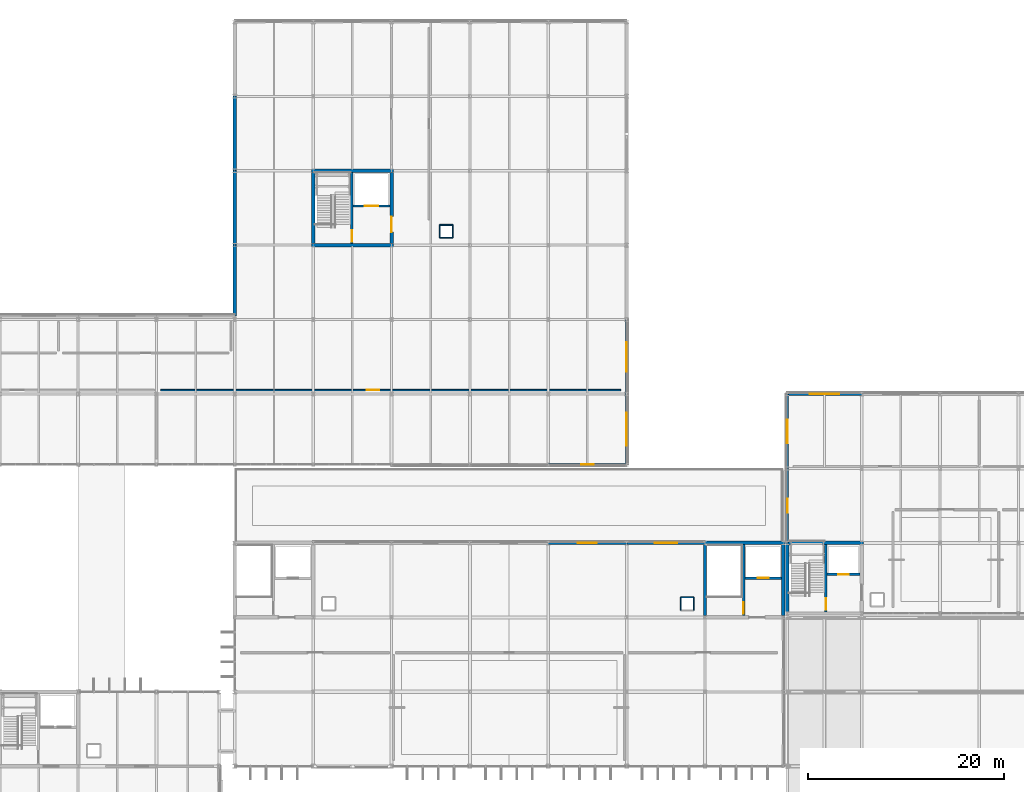
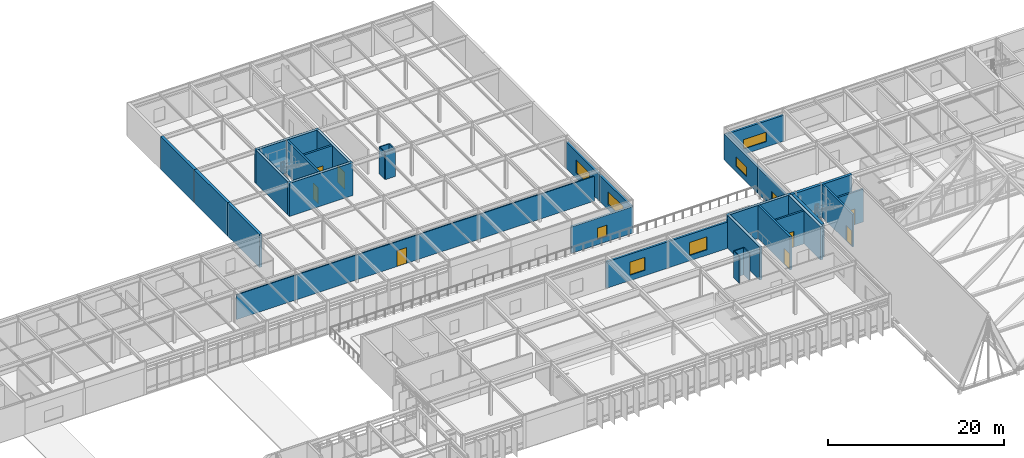
# One storey, part 86 of 100: 34 walls, 9 doors, 7 windows, 16 openings.
"""IFC4 building model written with IfcOpenShell, lengths in metres."""

from ifc_helpers import new_model, si_unit, direction, frame, frame_2d, origin, place, context, subcontext, project, spatial, rectangle, extrude, material, layer, layer_set, type_object, element, fill, save


model = new_model("IFC4")

# Units and contexts
model_context = context("Model", 3, precision=1e-05, world=origin(), true_north=direction((0.0, 1.0)))
body_context = subcontext(model_context, "Body", "Model", "MODEL_VIEW")
ifc_project = project(units=[si_unit("LENGTHUNIT", "METRE"), si_unit("AREAUNIT", "SQUARE_METRE"), si_unit("VOLUMEUNIT", "CUBIC_METRE"), si_unit("PLANEANGLEUNIT", "RADIAN"), si_unit("MASSUNIT", "GRAM", prefix="KILO")], contexts=[model_context])

# Site, building, storey
site_placement = place(None, origin())
site = spatial("IfcSite", under=ifc_project, at=site_placement, CompositionType="ELEMENT")
building_placement = place(site_placement, origin())
building = spatial("IfcBuilding", under=site, at=building_placement, Name="Zulena Civic Courthouse", CompositionType="ELEMENT")
storey_placement = place(building_placement, frame((0.0, 0.0, 20.39990234375)))
storey = spatial("IfcBuildingStorey", under=building, at=storey_placement, Name="L04", CompositionType="ELEMENT", Elevation=20.39990234375)

# Wall, opening, door
ifc_material_1 = material(Name="Concrete C40/50", Category="concrete")
ifc_layer_1 = layer(ifc_material_1, 0.25)
ifc_layer_set_1 = layer_set([ifc_layer_1], Name="Concrete C40/50")
wall_type_1 = type_object("IfcWallType", Name="CoreShearWall_RC250", PredefinedType="SHEAR", material=ifc_layer_set_1)
wall_1_placement = place(storey_placement, frame((128.35009765625, 30.97509765625, 0.0), z_axis=(0.0, 0.0, 1.0), x_axis=(0.0, 1.0, 0.0)))
wall_1 = element("IfcWall", 1, at=wall_1_placement, inside=storey, type_object=wall_type_1, Name="cwall:K3A:L04:DIV", PredefinedType="SHEAR", context=body_context, shape_type="SweptSolid", body=[
    extrude(rectangle(XDim=6.849853515625, YDim=0.25, at=frame_2d((3.4248046875, 0.0))), origin(), (0.0, 0.0, 1.0), 4.545166015625),
])
opening_1_placement = place(wall_1_placement, frame((0.179931640625, 0.0, 0.0)))
opening_1 = element("IfcOpeningElement", 2, at=opening_1_placement, cuts=wall_1, Name="Opening ID07", PredefinedType="OPENING", context=body_context, shape_type="SweptSolid", body=[
    extrude(rectangle(XDim=1.199951171875, YDim=2.199951171875, at=frame_2d((0.60009765625, 1.10009765625))), frame((0.0, 0.135009765625, 0.0), z_axis=(0.0, -1.0, 0.0), x_axis=(1.0, 0.0, 0.0)), (0.0, 0.0, 1.0), 0.27001953125),
])
ifc_material_2 = material(Name="Fire-rated galvanised steel ASTM A653 Grade 50", Category="steel")
door_type_1 = type_object("IfcDoorType", Name="IntDoor_Stair_1200x2200", OperationType="NOTDEFINED", PredefinedType="DOOR", material=ifc_material_2)
door_1_placement = place(opening_1_placement, origin())
door_1 = element("IfcDoor", 3, at=door_1_placement, inside=storey, type_object=door_type_1, Name="door:stair:K3A:L04", OperationType="SINGLE_SWING_LEFT", OverallHeight=2.199951171875, OverallWidth=1.199951171875, PredefinedType="DOOR", context=body_context, shape_type="SweptSolid", body=[
    extrude(rectangle(XDim=1.199951171875, YDim=2.199951171875, at=frame_2d((0.60009765625, 1.10009765625))), frame((0.0, 0.02490234375, 0.0), z_axis=(0.0, -1.0, 0.0), x_axis=(1.0, 0.0, 0.0)), (0.0, 0.0, 1.0), 0.050048828125),
])
fill(opening_1, door_1)

wall_2_placement = place(storey_placement, frame((128.47509765625, 34.800048828125, 0.0), z_axis=(0.0, 0.0, 1.0), x_axis=(1.0, 0.0, 0.0)))
wall_2 = element("IfcWall", 4, at=wall_2_placement, inside=storey, type_object=wall_type_1, Name="cwall:K3A:L04:SHF", PredefinedType="SHEAR", context=body_context, shape_type="SweptSolid", body=[
    extrude(rectangle(XDim=3.349853515625, YDim=0.25, at=frame_2d((1.6748046875, 0.0))), origin(), (0.0, 0.0, 1.0), 4.545166015625),
])
opening_2_placement = place(wall_2_placement, frame((1.1201171875, 0.0, 0.0)))
opening_2 = element("IfcOpeningElement", 5, at=opening_2_placement, cuts=wall_2, Name="Opening LD02", PredefinedType="OPENING", context=body_context, shape_type="SweptSolid", body=[
    extrude(rectangle(XDim=1.10009765625, YDim=2.199951171875, at=frame_2d((0.550048828125, 1.10009765625))), frame((0.0, 0.135009765625, 0.0), z_axis=(0.0, -1.0, 0.0), x_axis=(1.0, 0.0, 0.0)), (0.0, 0.0, 1.0), 0.27001953125),
])
door_type_2 = type_object("IfcDoorType", Name="LiftLandingDoor_Pass_1100x2200", OperationType="SLIDING_TO_LEFT", PredefinedType="DOOR", material=ifc_material_2)
door_2_placement = place(opening_2_placement, origin())
door_2 = element("IfcDoor", 6, at=door_2_placement, inside=storey, type_object=door_type_2, Name="door:ld:PL-02:L04", OperationType="SLIDING_TO_LEFT", OverallHeight=2.199951171875, OverallWidth=1.10009765625, PredefinedType="DOOR", context=body_context, shape_type="SweptSolid", body=[
    extrude(rectangle(XDim=1.10009765625, YDim=2.199951171875, at=frame_2d((0.550048828125, 1.10009765625))), frame((0.0, 0.02490234375, 0.0), z_axis=(0.0, -1.0, 0.0), x_axis=(1.0, 0.0, 0.0)), (0.0, 0.0, 1.0), 0.050048828125),
])
fill(opening_2, door_2)

wall_3_placement = place(storey_placement, frame((119.949951171875, 30.574951171875, 0.0), z_axis=(0.0, 0.0, 1.0), x_axis=(0.0, 1.0, 0.0)))
wall_3 = element("IfcWall", 7, at=wall_3_placement, inside=storey, type_object=wall_type_1, Name="cwall:K4B:L04:DIV", PredefinedType="SHEAR", context=body_context, shape_type="SweptSolid", body=[
    extrude(rectangle(XDim=7.25, YDim=0.25, at=frame_2d((3.625, 0.0))), origin(), (0.0, 0.0, 1.0), 4.590087890625),
])
opening_3_placement = place(wall_3_placement, frame((0.179931640625, 0.0, 0.0)))
opening_3 = element("IfcOpeningElement", 8, at=opening_3_placement, cuts=wall_3, Name="Opening ID07", PredefinedType="OPENING", context=body_context, shape_type="SweptSolid", body=[
    extrude(rectangle(XDim=1.199951171875, YDim=2.199951171875, at=frame_2d((0.60009765625, 1.10009765625))), frame((0.0, 0.135009765625, 0.0), z_axis=(0.0, -1.0, 0.0), x_axis=(1.0, 0.0, 0.0)), (0.0, 0.0, 1.0), 0.27001953125),
])
door_3_placement = place(opening_3_placement, origin())
door_3 = element("IfcDoor", 9, at=door_3_placement, inside=storey, type_object=door_type_1, Name="door:stair:K4B:L04", OperationType="SINGLE_SWING_RIGHT", OverallHeight=2.199951171875, OverallWidth=1.199951171875, PredefinedType="DOOR", context=body_context, shape_type="SweptSolid", body=[
    extrude(rectangle(XDim=1.199951171875, YDim=2.199951171875, at=frame_2d((0.60009765625, 1.10009765625))), frame((0.0, 0.02490234375, 0.0), z_axis=(0.0, -1.0, 0.0), x_axis=(1.0, 0.0, 0.0)), (0.0, 0.0, 1.0), 0.050048828125),
])
fill(opening_3, door_3)

wall_4_placement = place(storey_placement, frame((120.074951171875, 34.39990234375, 0.0), z_axis=(0.0, 0.0, 1.0), x_axis=(1.0, 0.0, 0.0)))
wall_4 = element("IfcWall", 10, at=wall_4_placement, inside=storey, type_object=wall_type_1, Name="cwall:K4B:L04:SHF", PredefinedType="SHEAR", context=body_context, shape_type="SweptSolid", body=[
    extrude(rectangle(XDim=3.75, YDim=0.25, at=frame_2d((1.875, 0.0))), origin(), (0.0, 0.0, 1.0), 4.590087890625),
])
opening_4_placement = place(wall_4_placement, frame((1.320068359375, 0.0, 0.0)))
opening_4 = element("IfcOpeningElement", 11, at=opening_4_placement, cuts=wall_4, Name="Opening LD02", PredefinedType="OPENING", context=body_context, shape_type="SweptSolid", body=[
    extrude(rectangle(XDim=1.10009765625, YDim=2.199951171875, at=frame_2d((0.550048828125, 1.10009765625))), frame((0.0, 0.135009765625, 0.0), z_axis=(0.0, -1.0, 0.0), x_axis=(1.0, 0.0, 0.0)), (0.0, 0.0, 1.0), 0.27001953125),
])
door_4_placement = place(opening_4_placement, origin())
door_4 = element("IfcDoor", 12, at=door_4_placement, inside=storey, type_object=door_type_2, Name="door:ld:PL-04:L04", OperationType="SLIDING_TO_LEFT", OverallHeight=2.199951171875, OverallWidth=1.10009765625, PredefinedType="DOOR", context=body_context, shape_type="SweptSolid", body=[
    extrude(rectangle(XDim=1.10009765625, YDim=2.199951171875, at=frame_2d((0.550048828125, 1.10009765625))), frame((0.0, 0.02490234375, 0.0), z_axis=(0.0, -1.0, 0.0), x_axis=(1.0, 0.0, 0.0)), (0.0, 0.0, 1.0), 0.050048828125),
])
fill(opening_4, door_4)

wall_5_placement = place(storey_placement, frame((79.949951171875, 68.574951171875, 0.0), z_axis=(0.0, 0.0, 1.0), x_axis=(0.0, 1.0, 0.0)))
wall_5 = element("IfcWall", 13, at=wall_5_placement, inside=storey, type_object=wall_type_1, Name="cwall:K5B:L04:DIV", PredefinedType="SHEAR", context=body_context, shape_type="SweptSolid", body=[
    extrude(rectangle(XDim=7.25, YDim=0.25, at=frame_2d((3.625, 0.0))), origin(), (0.0, 0.0, 1.0), 4.590087890625),
])
opening_5_placement = place(wall_5_placement, frame((0.179931640625, 0.0, 0.0)))
opening_5 = element("IfcOpeningElement", 14, at=opening_5_placement, cuts=wall_5, Name="Opening ID08", PredefinedType="OPENING", context=body_context, shape_type="SweptSolid", body=[
    extrude(rectangle(XDim=1.14990234375, YDim=2.199951171875, at=frame_2d((0.574951171875, 1.10009765625))), frame((0.0, 0.135009765625, 0.0), z_axis=(0.0, -1.0, 0.0), x_axis=(1.0, 0.0, 0.0)), (0.0, 0.0, 1.0), 0.27001953125),
])
door_type_3 = type_object("IfcDoorType", Name="IntDoor_Stair_1150x2200", OperationType="NOTDEFINED", PredefinedType="DOOR", material=ifc_material_2)
door_5_placement = place(opening_5_placement, origin())
door_5 = element("IfcDoor", 15, at=door_5_placement, inside=storey, type_object=door_type_3, Name="door:stair:K5B:L04", OperationType="SINGLE_SWING_LEFT", OverallHeight=2.199951171875, OverallWidth=1.14990234375, PredefinedType="DOOR", context=body_context, shape_type="SweptSolid", body=[
    extrude(rectangle(XDim=1.14990234375, YDim=2.199951171875, at=frame_2d((0.574951171875, 1.10009765625))), frame((0.0, 0.02490234375, 0.0), z_axis=(0.0, -1.0, 0.0), x_axis=(1.0, 0.0, 0.0)), (0.0, 0.0, 1.0), 0.050048828125),
])
fill(opening_5, door_5)

wall_6_placement = place(storey_placement, frame((80.074951171875, 72.39990234375, 0.0), z_axis=(0.0, 0.0, 1.0), x_axis=(1.0, 0.0, 0.0)))
wall_6 = element("IfcWall", 16, at=wall_6_placement, inside=storey, type_object=wall_type_1, Name="cwall:K5B:L04:SHF", PredefinedType="SHEAR", context=body_context, shape_type="SweptSolid", body=[
    extrude(rectangle(XDim=3.75, YDim=0.25, at=frame_2d((1.875, 0.0))), origin(), (0.0, 0.0, 1.0), 4.590087890625),
])
opening_6_placement = place(wall_6_placement, frame((1.195068359375, 0.0, 0.0)))
opening_6 = element("IfcOpeningElement", 17, at=opening_6_placement, cuts=wall_6, Name="Opening LD04", PredefinedType="OPENING", context=body_context, shape_type="SweptSolid", body=[
    extrude(rectangle(XDim=1.35009765625, YDim=2.199951171875, at=frame_2d((0.675048828125, 1.10009765625))), frame((0.0, 0.135009765625, 0.0), z_axis=(0.0, -1.0, 0.0), x_axis=(1.0, 0.0, 0.0)), (0.0, 0.0, 1.0), 0.27001953125),
])
door_type_4 = type_object("IfcDoorType", Name="LiftLandingDoor_Goods_1350x2300", OperationType="DOUBLE_DOOR_SLIDING", PredefinedType="DOOR", material=ifc_material_2)
door_6_placement = place(opening_6_placement, origin())
door_6 = element("IfcDoor", 18, at=door_6_placement, inside=storey, type_object=door_type_4, Name="door:ld:CL-02:L04", OperationType="DOUBLE_DOOR_SLIDING", OverallHeight=2.199951171875, OverallWidth=1.35009765625, PredefinedType="DOOR", context=body_context, shape_type="SweptSolid", body=[
    extrude(rectangle(XDim=1.35009765625, YDim=2.199951171875, at=frame_2d((0.675048828125, 1.10009765625))), frame((0.0, 0.02490234375, 0.0), z_axis=(0.0, -1.0, 0.0), x_axis=(1.0, 0.0, 0.0)), (0.0, 0.0, 1.0), 0.050048828125),
])
fill(opening_6, door_6)

# Walls
ifc_layer_2 = layer(ifc_material_1, 0.35009765625)
ifc_layer_set_2 = layer_set([ifc_layer_2], Name="Concrete C40/50")
wall_type_2 = type_object("IfcWallType", Name="CoreShearWall_RC350", PredefinedType="SHEAR", material=ifc_layer_set_2)
wall_7_placement = place(storey_placement, frame((124.22509765625, 38.0, 0.0), z_axis=(0.0, 0.0, 1.0), x_axis=(1.0, 0.0, 0.0)))
element("IfcWall", 19, at=wall_7_placement, inside=storey, type_object=wall_type_2, Name="cwall:K3A:L04:N", PredefinedType="SHEAR", context=body_context, shape_type="SweptSolid", body=[
    extrude(rectangle(XDim=7.949951171875, YDim=0.35009765625, at=frame_2d((3.97509765625, 0.0))), origin(), (0.0, 0.0, 1.0), 4.545166015625),
])
wall_8_placement = place(storey_placement, frame((124.39990234375, 30.97509765625, 0.0), z_axis=(0.0, 0.0, 1.0), x_axis=(0.0, 1.0, 0.0)))
element("IfcWall", 20, at=wall_8_placement, inside=storey, type_object=wall_type_2, Name="cwall:K3A:L04:W", PredefinedType="SHEAR", context=body_context, shape_type="SweptSolid", body=[
    extrude(rectangle(XDim=6.849853515625, YDim=0.35009765625, at=frame_2d((3.4248046875, 0.0))), origin(), (0.0, 0.0, 1.0), 4.545166015625),
])
wall_9_placement = place(storey_placement, frame((115.824951171875, 38.0, 0.0), z_axis=(0.0, 0.0, 1.0), x_axis=(1.0, 0.0, 0.0)))
element("IfcWall", 21, at=wall_9_placement, inside=storey, type_object=wall_type_2, Name="cwall:K4B:L04:N", PredefinedType="SHEAR", context=body_context, shape_type="SweptSolid", body=[
    extrude(rectangle(XDim=8.35009765625, YDim=0.35009765625, at=frame_2d((4.175048828125, 0.0))), origin(), (0.0, 0.0, 1.0), 4.590087890625),
])
for number, where, z_axis, x_axis, name in (
    (22, (116.0, 30.574951171875, 0.0), (0.0, 0.0, 1.0), (0.0, 1.0, 0.0), "cwall:K4B:L04:W"),
    (23, (124.0, 30.574951171875, 0.0), (0.0, 0.0, 1.0), (0.0, 1.0, 0.0), "cwall:K4B:L04:E"),
):
    element("IfcWall", number, at=place(storey_placement, frame(where, z_axis=z_axis, x_axis=x_axis)), inside=storey, type_object=wall_type_2, Name=name, PredefinedType="SHEAR", context=body_context, shape_type="SweptSolid", body=[
        extrude(rectangle(XDim=7.25, YDim=0.35009765625, at=frame_2d((3.625, 0.0))), origin(), (0.0, 0.0, 1.0), 4.590087890625),
    ])
for number, where, z_axis, x_axis, name in (
    (24, (75.824951171875, 68.39990234375, 0.0), (0.0, 0.0, 1.0), (1.0, 0.0, 0.0), "cwall:K5B:L04:S"),
    (25, (75.824951171875, 76.0, 0.0), (0.0, 0.0, 1.0), (1.0, 0.0, 0.0), "cwall:K5B:L04:N"),
):
    element("IfcWall", number, at=place(storey_placement, frame(where, z_axis=z_axis, x_axis=x_axis)), inside=storey, type_object=wall_type_2, Name=name, PredefinedType="SHEAR", context=body_context, shape_type="SweptSolid", body=[
        extrude(rectangle(XDim=8.35009765625, YDim=0.35009765625, at=frame_2d((4.175048828125, 0.0))), origin(), (0.0, 0.0, 1.0), 4.590087890625),
    ])
wall_10_placement = place(storey_placement, frame((76.0, 68.574951171875, 0.0), z_axis=(0.0, 0.0, 1.0), x_axis=(0.0, 1.0, 0.0)))
element("IfcWall", 26, at=wall_10_placement, inside=storey, type_object=wall_type_2, Name="cwall:K5B:L04:W", PredefinedType="SHEAR", context=body_context, shape_type="SweptSolid", body=[
    extrude(rectangle(XDim=7.25, YDim=0.35009765625, at=frame_2d((3.625, 0.0))), origin(), (0.0, 0.0, 1.0), 4.590087890625),
])

# Wall, opening, door
wall_11_placement = place(storey_placement, frame((84.0, 68.574951171875, 0.0), z_axis=(0.0, 0.0, 1.0), x_axis=(0.0, 1.0, 0.0)))
wall_11 = element("IfcWall", 27, at=wall_11_placement, inside=storey, type_object=wall_type_2, Name="cwall:K5B:L04:E", PredefinedType="SHEAR", context=body_context, shape_type="SweptSolid", body=[
    extrude(rectangle(XDim=7.25, YDim=0.35009765625, at=frame_2d((3.625, 0.0))), origin(), (0.0, 0.0, 1.0), 4.590087890625),
])
opening_7_placement = place(wall_11_placement, frame((1.14990234375, 0.0, 0.0)))
opening_7 = element("IfcOpeningElement", 28, at=opening_7_placement, cuts=wall_11, Name="Opening ID04", PredefinedType="OPENING", context=body_context, shape_type="SweptSolid", body=[
    extrude(rectangle(XDim=1.60009765625, YDim=2.35009765625, at=frame_2d((0.800048828125, 1.175048828125))), frame((0.0, 0.18505859375, 0.0), z_axis=(0.0, -1.0, 0.0), x_axis=(1.0, 0.0, 0.0)), (0.0, 0.0, 1.0), 0.3701171875),
])
ifc_material_3 = material(Name="Solid-core acoustic hardwood timber", Category="wood")
door_type_5 = type_object("IfcDoorType", Name="IntDoor_CourtPublic_1600x2350", OperationType="DOUBLE_DOOR_SINGLE_SWING", PredefinedType="DOOR", material=ifc_material_3)
door_7_placement = place(opening_7_placement, origin())
door_7 = element("IfcDoor", 29, at=door_7_placement, inside=storey, type_object=door_type_5, Name="door:corelob:K5B:L04", OperationType="DOUBLE_DOOR_SINGLE_SWING", OverallHeight=2.35009765625, OverallWidth=1.60009765625, PredefinedType="DOOR", context=body_context, shape_type="SweptSolid", body=[
    extrude(rectangle(XDim=1.60009765625, YDim=2.35009765625, at=frame_2d((0.800048828125, 1.175048828125))), frame((0.0, 0.02490234375, 0.0), z_axis=(0.0, -1.0, 0.0), x_axis=(1.0, 0.0, 0.0)), (0.0, 0.0, 1.0), 0.050048828125),
])
fill(opening_7, door_7)

# Wall, opening, window
ifc_material_4 = material(Name="Buff architectural precast concrete C40/50", Category="concrete")
ifc_layer_3 = layer(ifc_material_4, 0.264892578125)
ifc_layer_set_3 = layer_set([ifc_layer_3], Name="Buff architectural precast concrete C40/50")
wall_type_3 = type_object("IfcWallType", Name="ExtWall_BuffPrecast_265", PredefinedType="STANDARD", material=ifc_layer_set_3)
wall_12_placement = place(storey_placement, frame((108.0, 60.820068359375, 0.0), z_axis=(0.0, 0.0, 1.0), x_axis=(0.0, -1.0, 0.0)))
wall_12 = element("IfcWall", 30, at=wall_12_placement, inside=storey, type_object=wall_type_3, Name="ewall:V5:L04:4:4", PredefinedType="STANDARD", context=body_context, shape_type="SweptSolid", body=[
    extrude(rectangle(XDim=7.64013671875, YDim=0.264892578125, at=frame_2d((3.820068359375, 0.0))), origin(), (0.0, 0.0, 1.0), 3.66015625),
])
opening_8_placement = place(wall_12_placement, frame((2.320068359375, 0.0, 0.75)))
opening_8 = element("IfcOpeningElement", 31, at=opening_8_placement, cuts=wall_12, Name="Opening WN22", PredefinedType="OPENING", context=body_context, shape_type="SweptSolid", body=[
    extrude(rectangle(XDim=3.0, YDim=1.800048828125, at=frame_2d((1.5, 0.89990234375))), frame((0.0, 0.142333984375, 0.0), z_axis=(0.0, -1.0, 0.0), x_axis=(1.0, 0.0, 0.0)), (0.0, 0.0, 1.0), 0.284912109375),
])
ifc_material_5 = material(Name="Double-silver low-E laminated solar-control glass", Category="glass")
window_type_1 = type_object("IfcWindowType", Name="Win_3000x1800", PartitioningType="DOUBLE_PANEL_VERTICAL", PredefinedType="WINDOW", material=ifc_material_5)
window_1_placement = place(opening_8_placement, origin())
window_1 = element("IfcWindow", 32, at=window_1_placement, inside=storey, type_object=window_type_1, Name="win:V5:L04:4:4", OverallHeight=1.800048828125, OverallWidth=3.0, PartitioningType="SINGLE_PANEL", PredefinedType="WINDOW", context=body_context, shape_type="SweptSolid", body=[
    extrude(rectangle(XDim=3.0, YDim=1.800048828125, at=frame_2d((1.5, 0.89990234375))), frame((0.0, 0.030029296875, 0.0), z_axis=(0.0, -1.0, 0.0), x_axis=(1.0, 0.0, 0.0)), (0.0, 0.0, 1.0), 0.06005859375),
])
fill(opening_8, window_1)

wall_13_placement = place(storey_placement, frame((108.0, 53.219970703125, 0.0), z_axis=(0.0, 0.0, 1.0), x_axis=(0.0, -1.0, 0.0)))
wall_13 = element("IfcWall", 33, at=wall_13_placement, inside=storey, type_object=wall_type_3, Name="ewall:V5:L04:4:5", PredefinedType="STANDARD", context=body_context, shape_type="SweptSolid", body=[
    extrude(rectangle(XDim=7.239990234375, YDim=0.264892578125, at=frame_2d((3.6201171875, 0.0))), origin(), (0.0, 0.0, 1.0), 3.66015625),
])
opening_9_placement = place(wall_13_placement, frame((1.919921875, 0.0, 0.75)))
opening_9 = element("IfcOpeningElement", 34, at=opening_9_placement, cuts=wall_13, Name="Opening WN23", PredefinedType="OPENING", context=body_context, shape_type="SweptSolid", body=[
    extrude(rectangle(XDim=3.39990234375, YDim=1.800048828125, at=frame_2d((1.699951171875, 0.89990234375))), frame((0.0, 0.142333984375, 0.0), z_axis=(0.0, -1.0, 0.0), x_axis=(1.0, 0.0, 0.0)), (0.0, 0.0, 1.0), 0.284912109375),
])
window_type_2 = type_object("IfcWindowType", Name="Win_3400x1800", PartitioningType="DOUBLE_PANEL_VERTICAL", PredefinedType="WINDOW", material=ifc_material_5)
window_2_placement = place(opening_9_placement, origin())
window_2 = element("IfcWindow", 35, at=window_2_placement, inside=storey, type_object=window_type_2, Name="win:V5:L04:4:5", OverallHeight=1.800048828125, OverallWidth=3.39990234375, PartitioningType="SINGLE_PANEL", PredefinedType="WINDOW", context=body_context, shape_type="SweptSolid", body=[
    extrude(rectangle(XDim=3.39990234375, YDim=1.800048828125, at=frame_2d((1.699951171875, 0.89990234375))), frame((0.0, 0.030029296875, 0.0), z_axis=(0.0, -1.0, 0.0), x_axis=(1.0, 0.0, 0.0)), (0.0, 0.0, 1.0), 0.06005859375),
])
fill(opening_9, window_2)

wall_14_placement = place(storey_placement, frame((108.02001953125, 46.0, 0.0), z_axis=(0.0, 0.0, 1.0), x_axis=(-1.0, 0.0, 0.0)))
wall_14 = element("IfcWall", 36, at=wall_14_placement, inside=storey, type_object=wall_type_3, Name="ewall:V5:L04:5:0", PredefinedType="STANDARD", context=body_context, shape_type="SweptSolid", body=[
    extrude(rectangle(XDim=8.0400390625, YDim=0.264892578125, at=frame_2d((4.02001953125, 0.0))), origin(), (0.0, 0.0, 1.0), 3.66015625),
])
opening_10_placement = place(wall_14_placement, frame((3.3701171875, 0.0, 0.75)))
opening_10 = element("IfcOpeningElement", 37, at=opening_10_placement, cuts=wall_14, Name="Opening WN24", PredefinedType="OPENING", context=body_context, shape_type="SweptSolid", body=[
    extrude(rectangle(XDim=1.300048828125, YDim=1.550048828125, at=frame_2d((0.64990234375, 0.77490234375))), frame((0.0, 0.142333984375, 0.0), z_axis=(0.0, -1.0, 0.0), x_axis=(1.0, 0.0, 0.0)), (0.0, 0.0, 1.0), 0.284912109375),
])
window_type_3 = type_object("IfcWindowType", Name="Win_1300x1550", PartitioningType="SINGLE_PANEL", PredefinedType="WINDOW", material=ifc_material_5)
window_3_placement = place(opening_10_placement, origin())
window_3 = element("IfcWindow", 38, at=window_3_placement, inside=storey, type_object=window_type_3, Name="win:V5:L04:5:0", OverallHeight=1.550048828125, OverallWidth=1.300048828125, PartitioningType="SINGLE_PANEL", PredefinedType="WINDOW", context=body_context, shape_type="SweptSolid", body=[
    extrude(rectangle(XDim=1.300048828125, YDim=1.550048828125, at=frame_2d((0.64990234375, 0.77490234375))), frame((0.0, 0.030029296875, 0.0), z_axis=(0.0, -1.0, 0.0), x_axis=(1.0, 0.0, 0.0)), (0.0, 0.0, 1.0), 0.06005859375),
])
fill(opening_10, window_3)

# Walls
ifc_layer_4 = layer(ifc_material_1, 0.360107421875)
ifc_layer_set_4 = layer_set([ifc_layer_4], Name="Concrete C40/50")
wall_type_4 = type_object("IfcWallType", Name="ExtWall_PartyWall_360", PredefinedType="STANDARD", material=ifc_layer_set_4)
wall_15_placement = place(storey_placement, frame((68.0, 61.179931640625, 0.0), z_axis=(0.0, 0.0, 1.0), x_axis=(0.0, 1.0, 0.0)))
element("IfcWall", 39, at=wall_15_placement, inside=storey, type_object=wall_type_4, Name="ewall:V5:L04:2:0", PredefinedType="STANDARD", context=body_context, shape_type="SweptSolid", body=[
    extrude(rectangle(XDim=7.239990234375, YDim=0.360107421875, at=frame_2d((3.6201171875, 0.0))), origin(), (0.0, 0.0, 1.0), 4.60009765625),
])
for number, where, z_axis, x_axis, name in (
    (40, (68.0, 68.3798828125, 0.0), (0.0, 0.0, 1.0), (0.0, 1.0, 0.0), "ewall:V5:L04:2:1"),
    (41, (68.0, 75.97998046875, 0.0), (0.0, 0.0, 1.0), (0.0, 1.0, 0.0), "ewall:V5:L04:2:2"),
):
    element("IfcWall", number, at=place(storey_placement, frame(where, z_axis=z_axis, x_axis=x_axis)), inside=storey, type_object=wall_type_4, Name=name, PredefinedType="STANDARD", context=body_context, shape_type="SweptSolid", body=[
        extrude(rectangle(XDim=7.64013671875, YDim=0.360107421875, at=frame_2d((3.820068359375, 0.0))), origin(), (0.0, 0.0, 1.0), 4.60009765625),
    ])

# Wall, opening, door
ifc_material_6 = material(Name="Travertine-cream architectural precast concrete C40/50", Category="masonry")
ifc_layer_5 = layer(ifc_material_6, 0.280029296875)
ifc_layer_set_5 = layer_set([ifc_layer_5], Name="Travertine-cream architectural precast concrete C40/50")
wall_type_5 = type_object("IfcWallType", Name="ExtWall_TravPrecast_280", PredefinedType="STANDARD", material=ifc_layer_set_5)
wall_16_placement = place(storey_placement, frame((124.39990234375, 37.97998046875, 0.0), z_axis=(0.0, 0.0, 1.0), x_axis=(0.0, 1.0, 0.0)))
wall_16 = element("IfcWall", 42, at=wall_16_placement, inside=storey, type_object=wall_type_5, Name="ewall:V3:L04:0:1", PredefinedType="STANDARD", context=body_context, shape_type="SweptSolid", body=[
    extrude(rectangle(XDim=7.64013671875, YDim=0.280029296875, at=frame_2d((3.820068359375, 0.0))), origin(), (0.0, 0.0, 1.0), 3.60498046875),
])
opening_11_placement = place(wall_16_placement, frame((3.1201171875, 0.0, 0.0)))
opening_11 = element("IfcOpeningElement", 43, at=opening_11_placement, cuts=wall_16, Name="Opening TD03", PredefinedType="OPENING", context=body_context, shape_type="SweptSolid", body=[
    extrude(rectangle(XDim=1.39990234375, YDim=2.199951171875, at=frame_2d((0.699951171875, 1.10009765625))), frame((0.0, 0.14990234375, 0.0), z_axis=(0.0, -1.0, 0.0), x_axis=(1.0, 0.0, 0.0)), (0.0, 0.0, 1.0), 0.300048828125),
])
ifc_material_7 = material(Name="Galvanised architectural steel ASTM A653 Grade 50", Category="steel")
door_type_6 = type_object("IfcDoorType", Name="ExtDoor_Terrace_1400x2200", OperationType="DOUBLE_DOOR_SINGLE_SWING", PredefinedType="DOOR", material=ifc_material_7)
door_8_placement = place(opening_11_placement, origin())
door_8 = element("IfcDoor", 44, at=door_8_placement, inside=storey, type_object=door_type_6, Name="door:terrace:TR-V4-L04", OperationType="DOUBLE_DOOR_SINGLE_SWING", OverallHeight=2.199951171875, OverallWidth=1.39990234375, PredefinedType="DOOR", context=body_context, shape_type="SweptSolid", body=[
    extrude(rectangle(XDim=1.39990234375, YDim=2.199951171875, at=frame_2d((0.699951171875, 1.10009765625))), frame((0.0, 0.02490234375, 0.0), z_axis=(0.0, -1.0, 0.0), x_axis=(1.0, 0.0, 0.0)), (0.0, 0.0, 1.0), 0.050048828125),
])
fill(opening_11, door_8)

# Wall, opening, window
wall_17_placement = place(storey_placement, frame((124.39990234375, 45.580078125, 0.0), z_axis=(0.0, 0.0, 1.0), x_axis=(0.0, 1.0, 0.0)))
wall_17 = element("IfcWall", 45, at=wall_17_placement, inside=storey, type_object=wall_type_5, Name="ewall:V3:L04:0:2", PredefinedType="STANDARD", context=body_context, shape_type="SweptSolid", body=[
    extrude(rectangle(XDim=7.639892578125, YDim=0.280029296875, at=frame_2d((3.81982421875, 0.0))), origin(), (0.0, 0.0, 1.0), 3.60498046875),
])
opening_12_placement = place(wall_17_placement, frame((2.6201171875, 0.0, 0.75)))
opening_12 = element("IfcOpeningElement", 46, at=opening_12_placement, cuts=wall_17, Name="Opening WN32", PredefinedType="OPENING", context=body_context, shape_type="SweptSolid", body=[
    extrude(rectangle(XDim=2.39990234375, YDim=1.300048828125, at=frame_2d((1.199951171875, 0.64990234375))), frame((0.0, 0.14990234375, 0.0), z_axis=(0.0, -1.0, 0.0), x_axis=(1.0, 0.0, 0.0)), (0.0, 0.0, 1.0), 0.300048828125),
])
window_type_4 = type_object("IfcWindowType", Name="Win_2400x1300", PartitioningType="DOUBLE_PANEL_VERTICAL", PredefinedType="WINDOW", material=ifc_material_5)
window_4_placement = place(opening_12_placement, origin())
window_4 = element("IfcWindow", 47, at=window_4_placement, inside=storey, type_object=window_type_4, Name="win:V3:L04:0:2", OverallHeight=1.300048828125, OverallWidth=2.39990234375, PartitioningType="SINGLE_PANEL", PredefinedType="WINDOW", context=body_context, shape_type="SweptSolid", body=[
    extrude(rectangle(XDim=2.39990234375, YDim=1.300048828125, at=frame_2d((1.199951171875, 0.64990234375))), frame((0.0, 0.030029296875, 0.0), z_axis=(0.0, -1.0, 0.0), x_axis=(1.0, 0.0, 0.0)), (0.0, 0.0, 1.0), 0.06005859375),
])
fill(opening_12, window_4)

wall_18_placement = place(storey_placement, frame((124.3798828125, 53.199951171875, 0.0), z_axis=(0.0, 0.0, 1.0), x_axis=(1.0, 0.0, 0.0)))
wall_18 = element("IfcWall", 48, at=wall_18_placement, inside=storey, type_object=wall_type_5, Name="ewall:V3:L04:1:0", PredefinedType="STANDARD", context=body_context, shape_type="SweptSolid", body=[
    extrude(rectangle(XDim=7.64013671875, YDim=0.280029296875, at=frame_2d((3.820068359375, 0.0))), origin(), (0.0, 0.0, 1.0), 3.60498046875),
])
opening_13_placement = place(wall_18_placement, frame((2.320068359375, 0.0, 0.75)))
opening_13 = element("IfcOpeningElement", 49, at=opening_13_placement, cuts=wall_18, Name="Opening WN33", PredefinedType="OPENING", context=body_context, shape_type="SweptSolid", body=[
    extrude(rectangle(XDim=3.0, YDim=1.300048828125, at=frame_2d((1.5, 0.64990234375))), frame((0.0, 0.14990234375, 0.0), z_axis=(0.0, -1.0, 0.0), x_axis=(1.0, 0.0, 0.0)), (0.0, 0.0, 1.0), 0.300048828125),
])
window_type_5 = type_object("IfcWindowType", Name="Win_3000x1300", PartitioningType="DOUBLE_PANEL_VERTICAL", PredefinedType="WINDOW", material=ifc_material_5)
window_5_placement = place(opening_13_placement, origin())
window_5 = element("IfcWindow", 50, at=window_5_placement, inside=storey, type_object=window_type_5, Name="win:V3:L04:1:0", OverallHeight=1.300048828125, OverallWidth=3.0, PartitioningType="SINGLE_PANEL", PredefinedType="WINDOW", context=body_context, shape_type="SweptSolid", body=[
    extrude(rectangle(XDim=3.0, YDim=1.300048828125, at=frame_2d((1.5, 0.64990234375))), frame((0.0, 0.030029296875, 0.0), z_axis=(0.0, -1.0, 0.0), x_axis=(1.0, 0.0, 0.0)), (0.0, 0.0, 1.0), 0.06005859375),
])
fill(opening_13, window_5)

wall_19_placement = place(storey_placement, frame((99.97998046875, 38.0, 0.0), z_axis=(0.0, 0.0, 1.0), x_axis=(1.0, 0.0, 0.0)))
wall_19 = element("IfcWall", 51, at=wall_19_placement, inside=storey, type_object=wall_type_5, Name="ewall:V4:L04:1:4", PredefinedType="STANDARD", context=body_context, shape_type="SweptSolid", body=[
    extrude(rectangle(XDim=8.0400390625, YDim=0.280029296875, at=frame_2d((4.02001953125, 0.0))), origin(), (0.0, 0.0, 1.0), 3.66015625),
])
opening_14_placement = place(wall_19_placement, frame((3.044921875, 0.0, 0.75)))
opening_14 = element("IfcOpeningElement", 52, at=opening_14_placement, cuts=wall_19, Name="Opening WN19", PredefinedType="OPENING", context=body_context, shape_type="SweptSolid", body=[
    extrude(rectangle(XDim=1.949951171875, YDim=1.800048828125, at=frame_2d((0.97509765625, 0.89990234375))), frame((0.0, 0.14990234375, 0.0), z_axis=(0.0, -1.0, 0.0), x_axis=(1.0, 0.0, 0.0)), (0.0, 0.0, 1.0), 0.300048828125),
])
window_type_6 = type_object("IfcWindowType", Name="Win_1950x1800", PartitioningType="DOUBLE_PANEL_VERTICAL", PredefinedType="WINDOW", material=ifc_material_5)
window_6_placement = place(opening_14_placement, origin())
window_6 = element("IfcWindow", 53, at=window_6_placement, inside=storey, type_object=window_type_6, Name="win:V4:L04:1:4", OverallHeight=1.800048828125, OverallWidth=1.949951171875, PartitioningType="SINGLE_PANEL", PredefinedType="WINDOW", context=body_context, shape_type="SweptSolid", body=[
    extrude(rectangle(XDim=1.949951171875, YDim=1.800048828125, at=frame_2d((0.97509765625, 0.89990234375))), frame((0.0, 0.030029296875, 0.0), z_axis=(0.0, -1.0, 0.0), x_axis=(1.0, 0.0, 0.0)), (0.0, 0.0, 1.0), 0.06005859375),
])
fill(opening_14, window_6)

wall_20_placement = place(storey_placement, frame((107.97998046875, 38.0, 0.0), z_axis=(0.0, 0.0, 1.0), x_axis=(1.0, 0.0, 0.0)))
wall_20 = element("IfcWall", 54, at=wall_20_placement, inside=storey, type_object=wall_type_5, Name="ewall:V4:L04:1:5", PredefinedType="STANDARD", context=body_context, shape_type="SweptSolid", body=[
    extrude(rectangle(XDim=8.0400390625, YDim=0.280029296875, at=frame_2d((4.02001953125, 0.0))), origin(), (0.0, 0.0, 1.0), 3.66015625),
])
opening_15_placement = place(wall_20_placement, frame((2.8701171875, 0.0, 0.75)))
opening_15 = element("IfcOpeningElement", 55, at=opening_15_placement, cuts=wall_20, Name="Opening WN20", PredefinedType="OPENING", context=body_context, shape_type="SweptSolid", body=[
    extrude(rectangle(XDim=2.300048828125, YDim=1.800048828125, at=frame_2d((1.14990234375, 0.89990234375))), frame((0.0, 0.14990234375, 0.0), z_axis=(0.0, -1.0, 0.0), x_axis=(1.0, 0.0, 0.0)), (0.0, 0.0, 1.0), 0.300048828125),
])
window_type_7 = type_object("IfcWindowType", Name="Win_2300x1800", PartitioningType="DOUBLE_PANEL_VERTICAL", PredefinedType="WINDOW", material=ifc_material_5)
window_7_placement = place(opening_15_placement, origin())
window_7 = element("IfcWindow", 56, at=window_7_placement, inside=storey, type_object=window_type_7, Name="win:V4:L04:1:5", OverallHeight=1.800048828125, OverallWidth=2.300048828125, PartitioningType="SINGLE_PANEL", PredefinedType="WINDOW", context=body_context, shape_type="SweptSolid", body=[
    extrude(rectangle(XDim=2.300048828125, YDim=1.800048828125, at=frame_2d((1.14990234375, 0.89990234375))), frame((0.0, 0.030029296875, 0.0), z_axis=(0.0, -1.0, 0.0), x_axis=(1.0, 0.0, 0.0)), (0.0, 0.0, 1.0), 0.06005859375),
])
fill(opening_15, window_7)

# Wall, opening, door
ifc_material_8 = material(Name="Acoustic fire-rated gypsum board assembly", Category="masonry")
ifc_layer_6 = layer(ifc_material_8, 0.14599609375)
ifc_layer_set_6 = layer_set([ifc_layer_6], Name="Acoustic fire-rated gypsum board assembly")
wall_type_6 = type_object("IfcWallType", Name="PartWall_Chambers_146", PredefinedType="PARTITIONING", material=ifc_layer_set_6)
wall_21_placement = place(storey_placement, frame((60.419921875, 53.60009765625, 0.0), z_axis=(0.0, 0.0, 1.0), x_axis=(1.0, 0.0, 0.0)))
wall_21 = element("IfcWall", 57, at=wall_21_placement, inside=storey, type_object=wall_type_6, Name="pwall:L04:406:0", PredefinedType="PARTITIONING", context=body_context, shape_type="SweptSolid", body=[
    extrude(rectangle(XDim=46.9599609375, YDim=0.14599609375, at=frame_2d((23.47998046875, 0.0))), origin(), (0.0, 0.0, 1.0), 3.4501953125),
])
opening_16_placement = place(wall_21_placement, frame((21.030029296875, 0.0, 0.0)))
opening_16 = element("IfcOpeningElement", 58, at=opening_16_placement, cuts=wall_21, Name="Opening ID20", PredefinedType="OPENING", context=body_context, shape_type="SweptSolid", body=[
    extrude(rectangle(XDim=1.300048828125, YDim=2.199951171875, at=frame_2d((0.64990234375, 1.10009765625))), frame((0.0, 0.0830078125, 0.0), z_axis=(0.0, -1.0, 0.0), x_axis=(1.0, 0.0, 0.0)), (0.0, 0.0, 1.0), 0.166015625),
])
door_type_7 = type_object("IfcDoorType", Name="IntDoor_Archive_1300x2200", OperationType="NOTDEFINED", PredefinedType="DOOR", material=ifc_material_2)
door_9_placement = place(opening_16_placement, origin())
door_9 = element("IfcDoor", 59, at=door_9_placement, inside=storey, type_object=door_type_7, Name="door:rm:L04:406", OperationType="SINGLE_SWING_LEFT", OverallHeight=2.199951171875, OverallWidth=1.300048828125, PredefinedType="DOOR", context=body_context, shape_type="SweptSolid", body=[
    extrude(rectangle(XDim=1.300048828125, YDim=2.199951171875, at=frame_2d((0.64990234375, 1.10009765625))), frame((0.0, 0.02490234375, 0.0), z_axis=(0.0, -1.0, 0.0), x_axis=(1.0, 0.0, 0.0)), (0.0, 0.0, 1.0), 0.050048828125),
])
fill(opening_16, door_9)

# Walls
ifc_material_9 = material(Name="Insulated blockwork masonry ASTM C90", Category="masonry")
ifc_layer_7 = layer(ifc_material_9, 0.114990234375)
ifc_layer_set_7 = layer_set([ifc_layer_7], Name="Insulated blockwork masonry ASTM C90")
wall_type_7 = type_object("IfcWallType", Name="PartWall_Riser_115", PredefinedType="PARTITIONING", material=ifc_layer_set_7)
for number, where, z_axis, x_axis, name in (
    (60, (114.860107421875, 31.139892578125, 0.0), (0.0, 0.0, 1.0), (0.0, 1.0, 0.0), "riser:RS-V4E:L04:1"),
    (61, (114.860107421875, 32.4599609375, 0.0), (0.0, 0.0, 1.0), (-1.0, 0.0, 0.0), "riser:RS-V4E:L04:2"),
    (62, (113.5400390625, 32.4599609375, 0.0), (0.0, 0.0, 1.0), (0.0, -1.0, 0.0), "riser:RS-V4E:L04:3"),
    (63, (88.93994140625, 69.139892578125, 0.0), (0.0, 0.0, 1.0), (1.0, 0.0, 0.0), "riser:RS-V5N:L04:0"),
    (64, (90.260009765625, 69.139892578125, 0.0), (0.0, 0.0, 1.0), (0.0, 1.0, 0.0), "riser:RS-V5N:L04:1"),
    (65, (90.260009765625, 70.4599609375, 0.0), (0.0, 0.0, 1.0), (-1.0, 0.0, 0.0), "riser:RS-V5N:L04:2"),
    (66, (88.93994140625, 70.4599609375, 0.0), (0.0, 0.0, 1.0), (0.0, -1.0, 0.0), "riser:RS-V5N:L04:3"),
):
    element("IfcWall", number, at=place(storey_placement, frame(where, z_axis=z_axis, x_axis=x_axis)), inside=storey, type_object=wall_type_7, Name=name, PredefinedType="PARTITIONING", context=body_context, shape_type="SweptSolid", body=[
        extrude(rectangle(XDim=1.320068359375, YDim=0.114990234375, at=frame_2d((0.66015625, 0.0))), origin(), (0.0, 0.0, 1.0), 3.75),
    ])

save(model, "model.ifc")
